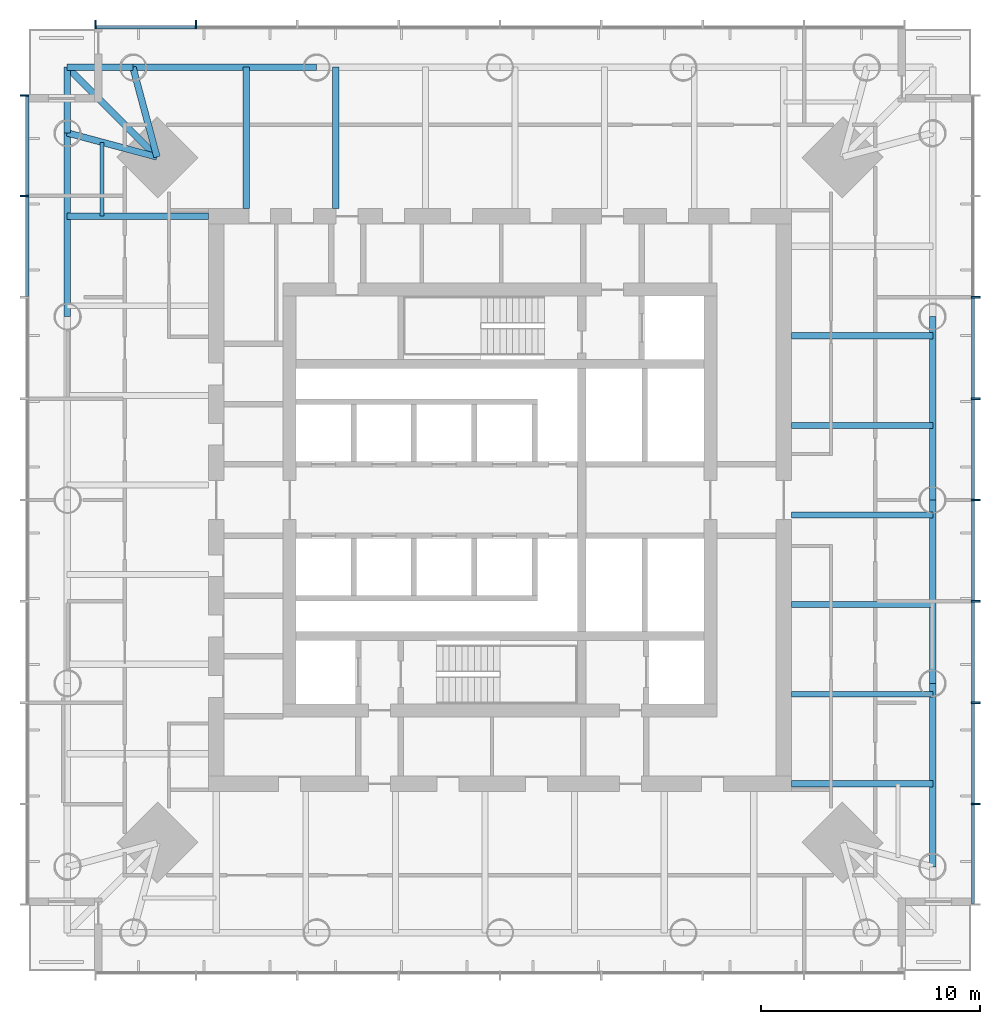
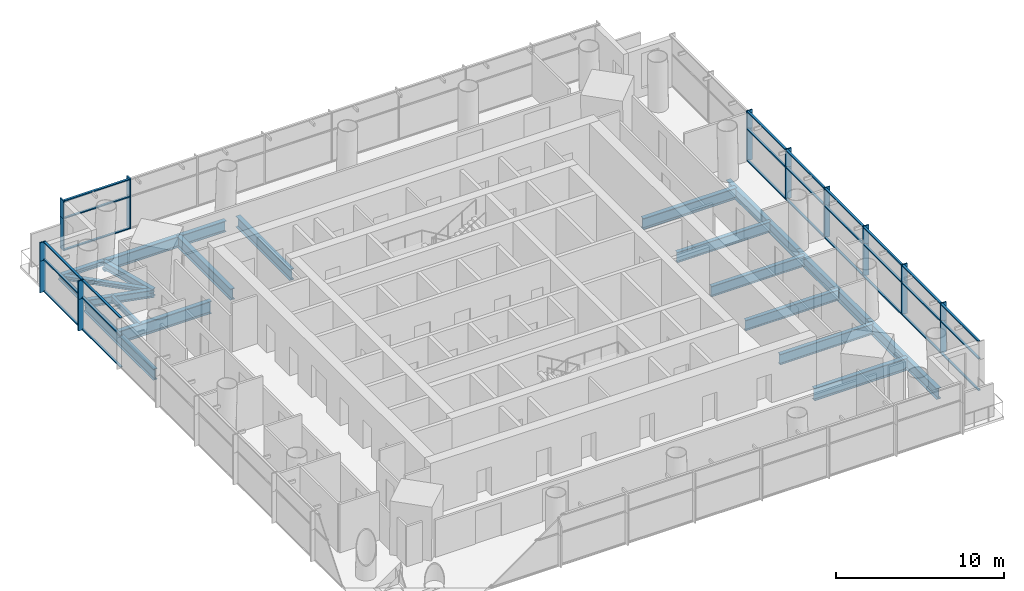
# One storey, part 3 of 11: 47 members, 20 beams, 6 elements without a shape of their own.
"""IFC4 building model written with IfcOpenShell, lengths in metres."""

import ifcopenshell
import ifcopenshell.guid

model = None  # the IFC model being written
_history = None  # IfcOwnerHistory: only IFC2X3 demands one
_inside = {}  # id of a spatial element -> (the spatial element, [elements in it])
_under = {}  # id of a project, library or spatial element -> (it, [spatial elements below it])
_declared = {}  # id of a project -> (the project, [libraries it declares])
_typed = {}  # id of a type object -> (the type object, [elements of that type])
_made_of = {}  # id of a material, layer set ... -> (it, [elements and type objects made of it])


def new_model(schema):
    """Start an empty IFC model of exactly this schema.

    Asked for "IFC4X3", IfcOpenShell would pick the latest addendum, in which some entities
    have other attributes; the version numbers below select the first issue.
    IFC2X3 requires an IfcOwnerHistory on every rooted entity: one is made here for all.
    """
    global model, _history
    if schema == "IFC4X3":
        model = ifcopenshell.file(schema_version=(4, 3, 0, 0))
    else:
        model = ifcopenshell.file(schema=schema)
    _inside.clear()
    _under.clear()
    _declared.clear()
    _typed.clear()
    _made_of.clear()
    _history = None
    if model.schema == "IFC2X3":
        org = make("IfcOrganization", Name="unknown")
        user = make(
            "IfcPersonAndOrganization",
            ThePerson=make("IfcPerson", FamilyName="unknown"),
            TheOrganization=org,
        )
        app = make(
            "IfcApplication",
            ApplicationDeveloper=org,
            Version="unknown",
            ApplicationFullName="unknown",
            ApplicationIdentifier="unknown",
        )
        _history = make(
            "IfcOwnerHistory",
            OwningUser=user,
            OwningApplication=app,
            ChangeAction="ADDED",
            CreationDate=0,
        )
    return model


def make(cls, **values):
    """One entity of the class cls with the attributes given. An attribute that is None is left unset."""
    return model.create_entity(
        cls, **{name: value for name, value in values.items() if value is not None}
    )


def rooted(cls, **values):
    """An entity with a GlobalId (a new one), such as an element, a storey or a relation."""
    return make(cls, GlobalId=ifcopenshell.guid.new(), OwnerHistory=_history, **values)


def si_unit(unit_type, name, prefix=None):
    """IfcSIUnit, for example si_unit("LENGTHUNIT", "METRE", prefix="MILLI")."""
    return make("IfcSIUnit", UnitType=unit_type, Prefix=prefix, Name=name)


def assignment(units):
    """IfcUnitAssignment: the units of a project."""
    return None if units is None else make("IfcUnitAssignment", Units=units)


def point(xyz):
    """IfcCartesianPoint."""
    return None if xyz is None else make("IfcCartesianPoint", Coordinates=xyz)


def direction(xyz):
    """IfcDirection."""
    return None if xyz is None else make("IfcDirection", DirectionRatios=xyz)


def frame(location, z_axis=None, x_axis=None):
    """IfcAxis2Placement3D, a coordinate frame: its origin and axes. An axis left out is left unset."""
    return make(
        "IfcAxis2Placement3D",
        Location=point(location),
        Axis=direction(z_axis),
        RefDirection=direction(x_axis),
    )


def frame_2d(location, x_axis=None):
    """IfcAxis2Placement2D, a coordinate frame in the plane: its origin and x axis."""
    return make(
        "IfcAxis2Placement2D", Location=point(location), RefDirection=direction(x_axis)
    )


def origin():
    """The frame at (0, 0, 0) with its axes left unset."""
    return frame((0.0, 0.0, 0.0))


def origin_2d():
    """The frame at (0, 0) in the plane with its x axis left unset."""
    return frame_2d((0.0, 0.0))


def place(relative_to, where):
    """IfcLocalPlacement: puts the frame where relative to a parent placement (None: the world)."""
    return make(
        "IfcLocalPlacement", PlacementRelTo=relative_to, RelativePlacement=where
    )


def context(
    kind, dimensions, precision=None, world=None, true_north=None, identifier=None
):
    """IfcGeometricRepresentationContext, for example the 3D "Model" context."""
    return make(
        "IfcGeometricRepresentationContext",
        ContextIdentifier=identifier,
        ContextType=kind,
        CoordinateSpaceDimension=dimensions,
        Precision=precision,
        WorldCoordinateSystem=world,
        TrueNorth=true_north,
    )


def subcontext(parent, identifier, kind, view, scale=None):
    """IfcGeometricRepresentationSubContext, for example "Body" below "Model"."""
    return make(
        "IfcGeometricRepresentationSubContext",
        ContextIdentifier=identifier,
        ContextType=kind,
        ParentContext=parent,
        TargetScale=scale,
        TargetView=view,
    )


def project(units=None, contexts=None):
    """IfcProject with its units and contexts."""
    return rooted(
        "IfcProject",
        Name="project",
        RepresentationContexts=contexts,
        UnitsInContext=assignment(units),
    )


def spatial(cls, under=None, at=None, **own):
    """A site, building, storey or space (cls), placed at a placement, below another one or the project."""
    s = rooted(cls, ObjectPlacement=at, **own)
    if under is not None:
        _under.setdefault(under.id(), (under, []))[1].append(s)
    return s


def profile(cls, at=None, kind="AREA", **sizes):
    """A parametric profile (cls). Its sizes go by their IFC names, for example OverallWidth=200.0."""
    return make(cls, ProfileType=kind, Position=at, **sizes)


def rectangle(**sizes):
    """IfcRectangleProfileDef."""
    return profile("IfcRectangleProfileDef", **sizes)


def i_section(**sizes):
    """IfcIShapeProfileDef."""
    return profile("IfcIShapeProfileDef", **sizes)


def extrude(swept, where, along, depth):
    """IfcExtrudedAreaSolid: the profile swept, set in the frame where, extruded along a direction by depth."""
    return make(
        "IfcExtrudedAreaSolid",
        SweptArea=swept,
        Position=where,
        ExtrudedDirection=direction(along),
        Depth=depth,
    )


def shape(context_of_items, identifier, shape_type, items):
    """IfcShapeRepresentation: the items that make up one representation, for example the "Body"."""
    return make(
        "IfcShapeRepresentation",
        ContextOfItems=context_of_items,
        RepresentationIdentifier=identifier,
        RepresentationType=shape_type,
        Items=items,
    )


def material(Name=None, Category=None):
    """IfcMaterial."""
    return make("IfcMaterial", Name=Name, Category=Category)


def material_profile(
    of_material, cross_section, Name=None, Category=None, Priority=None
):
    """IfcMaterialProfile: a cross section and its material."""
    return make(
        "IfcMaterialProfile",
        Name=Name,
        Material=of_material,
        Profile=cross_section,
        Priority=Priority,
        Category=Category,
    )


def profile_set(profiles, Name=None, composite=None):
    """IfcMaterialProfileSet."""
    return make(
        "IfcMaterialProfileSet",
        Name=Name,
        MaterialProfiles=profiles,
        CompositeProfile=composite,
    )


def made_of(thing, what):
    """Note that an element or type object is made of a material, layer set ...; save() writes the relation."""
    if what is not None:
        _made_of.setdefault(what.id(), (what, []))[1].append(thing)
    return thing


def type_object(cls, material=None, **own):
    """A type object (cls), such as IfcWallType, which elements share."""
    return made_of(rooted(cls, **own), material)


def element(
    cls,
    number,
    at=None,
    inside=None,
    cuts=None,
    type_object=None,
    material=None,
    context=None,
    identifier="Body",
    shape_type=None,
    held_by="IfcProductDefinitionShape",
    body=None,
    shapes=None,
    **own,
):
    """One element of the class cls, such as IfcWall. Its Tag is "e" and its number.

    at: its placement. inside: the storey or other place that contains it. cuts: it is an
    opening in that element (IfcRelVoidsElement). A single representation is given by context,
    identifier, shape_type and body (its items); several are given by shapes. held_by: the class
    of the entity that holds the representations. save() writes the other relations.
    """
    e = rooted(cls, Tag="e%d" % number, ObjectPlacement=at, **own)
    if body is not None:
        shapes = [shape(context, identifier, shape_type, body)]
    if shapes is not None:
        e.Representation = make(held_by, Representations=shapes)
    if inside is not None:
        _inside.setdefault(inside.id(), (inside, []))[1].append(e)
    if cuts is not None:
        rooted(
            "IfcRelVoidsElement", RelatingBuildingElement=cuts, RelatedOpeningElement=e
        )
    if type_object is not None:
        _typed.setdefault(type_object.id(), (type_object, []))[1].append(e)
    return made_of(e, material)


def aggregate(whole, parts):
    """IfcRelAggregates: a whole, such as a stair, and the parts it consists of."""
    return rooted("IfcRelAggregates", RelatingObject=whole, RelatedObjects=parts)


def save(model, path):
    """Write the relations noted so far, then the file.

    IfcRelAggregates (storeys below a building ...), IfcRelContainedInSpatialStructure (elements
    in a storey), IfcRelDefinesByType, IfcRelAssociatesMaterial and IfcRelDeclares: one each for
    every whole, place, type object, material and project.
    """
    for whole, parts in _under.values():
        aggregate(whole, parts)
    for where, things in _inside.values():
        rooted(
            "IfcRelContainedInSpatialStructure",
            RelatedElements=things,
            RelatingStructure=where,
        )
    for kind, things in _typed.values():
        rooted("IfcRelDefinesByType", RelatedObjects=things, RelatingType=kind)
    for what, things in _made_of.values():
        rooted("IfcRelAssociatesMaterial", RelatedObjects=things, RelatingMaterial=what)
    for by, libraries in _declared.values():
        rooted("IfcRelDeclares", RelatingContext=by, RelatedDefinitions=libraries)
    model.write(path)


model = new_model("IFC4")

# Units and contexts
model_context = context("Model", 3, precision=1e-05, world=origin(), true_north=direction((0.0, 1.0)))
body_context = subcontext(model_context, "Body", "Model", "MODEL_VIEW")
ifc_project = project(units=[si_unit("LENGTHUNIT", "METRE"), si_unit("AREAUNIT", "SQUARE_METRE"), si_unit("VOLUMEUNIT", "CUBIC_METRE"), si_unit("PLANEANGLEUNIT", "RADIAN"), si_unit("MASSUNIT", "GRAM", prefix="KILO")], contexts=[model_context])

# Site, building, storey
site_placement = place(None, origin())
site = spatial("IfcSite", under=ifc_project, at=site_placement, CompositionType="ELEMENT")
building_placement = place(site_placement, origin())
building = spatial("IfcBuilding", under=site, at=building_placement, Name="Ostroluk Exchange", CompositionType="ELEMENT")
storey_placement = place(building_placement, frame((0.0, 0.0, 154.0)))
storey = spatial("IfcBuildingStorey", under=building, at=storey_placement, Name="L39", CompositionType="ELEMENT", Elevation=154.0)

# Beams
ifc_material_1 = material(Name="Steel S355", Category="steel")
ifc_material_profile_1 = material_profile(ifc_material_1, i_section(OverallWidth=0.300048828125, OverallDepth=0.300048828125, WebThickness=0.010986328125, FlangeThickness=0.01904296875, FilletRadius=0.027099609375, at=origin_2d()), Name="HEB 300")
ifc_profile_set_1 = profile_set([ifc_material_profile_1], Name="Steel S355")
beam_type_1 = type_object("IfcBeamType", Name="Balcony beam HEB 300", PredefinedType="BEAM", material=ifc_profile_set_1)
for number, where, z_axis, x_axis, name in (
    (1, (28.25, 65.75, -0.330078125), (-1.0, 0.0, 0.0), (0.0, -1.0, 0.0), "T1 north balcony beam a"),
    (2, (25.25, 62.75, -0.330078125), (0.0, 1.0, 0.0), (-1.0, 0.0, 0.0), "T1 north balcony beam b"),
):
    element("IfcBeam", number, at=place(storey_placement, frame(where, z_axis=z_axis, x_axis=x_axis)), inside=storey, type_object=beam_type_1, Name=name, PredefinedType="BEAM", context=body_context, shape_type="SweptSolid", body=[
        extrude(i_section(OverallWidth=0.300048828125, OverallDepth=0.300048828125, WebThickness=0.010986328125, FlangeThickness=0.01904296875, FilletRadius=0.027099609375, at=origin_2d()), origin(), (0.0, 0.0, 1.0), 3.0),
    ])
beam_1_placement = place(storey_placement, frame((29.35009765625, 61.64990234375, -0.330078125), z_axis=(-0.707106781187, 0.707106781187, 0.0), x_axis=(-0.707106781187, -0.707106781187, 0.0)))
element("IfcBeam", 3, at=beam_1_placement, inside=storey, type_object=beam_type_1, Name="T1 north balcony beam c", PredefinedType="BEAM", context=body_context, shape_type="SweptSolid", body=[
    extrude(i_section(OverallWidth=0.300048828125, OverallDepth=0.300048828125, WebThickness=0.010986328125, FlangeThickness=0.01904296875, FilletRadius=0.027099609375, at=origin_2d()), origin(), (0.0, 0.0, 1.0), 5.79833984375),
])
ifc_material_2 = material(Name="Steel S355", Category="steel")
ifc_material_profile_2 = material_profile(ifc_material_2, i_section(OverallWidth=0.300048828125, OverallDepth=0.550048828125, WebThickness=0.014892578125, FlangeThickness=0.029052734375, FilletRadius=0.027099609375, at=origin_2d()), Name="HEB 550")
ifc_profile_set_2 = profile_set([ifc_material_profile_2], Name="Steel S355")
beam_type_2 = type_object("IfcBeamType", Name="Corner edge beam HEB 550", PredefinedType="SPANDREL", material=ifc_profile_set_2)
for number, where, z_axis, x_axis, name in (
    (4, (29.35009765625, 61.64990234375, -0.455078125), (-0.259144268261, 0.965838624319, 0.0), (-0.965838624319, -0.259144268261, 0.0), "T1 north corner edge beam a"),
    (5, (29.35009765625, 61.64990234375, -0.455078125), (-0.965838624319, 0.259144268261, 0.0), (-0.259144268261, -0.965838624319, 0.0), "T1 north corner edge beam b"),
):
    element("IfcBeam", number, at=place(storey_placement, frame(where, z_axis=z_axis, x_axis=x_axis)), inside=storey, type_object=beam_type_2, Name=name, PredefinedType="SPANDREL", context=body_context, shape_type="SweptSolid", body=[
        extrude(i_section(OverallWidth=0.300048828125, OverallDepth=0.550048828125, WebThickness=0.014892578125, FlangeThickness=0.029052734375, FilletRadius=0.027099609375, at=origin_2d()), origin(), (0.0, 0.0, 1.0), 4.2451171875),
    ])
ifc_material_3 = material(Name="Steel S355", Category="steel")
ifc_material_profile_3 = material_profile(ifc_material_3, i_section(OverallWidth=0.302978515625, OverallDepth=0.81396484375, WebThickness=0.02099609375, FlangeThickness=0.0400390625, FilletRadius=0.030029296875, at=origin_2d()), Name="HEM 800")
ifc_profile_set_3 = profile_set([ifc_material_profile_3], Name="Steel S355")
beam_type_3 = type_object("IfcBeamType", Name="Floor beam HEM 800", PredefinedType="BEAM", material=ifc_profile_set_3)
for number, where, z_axis, x_axis, name in (
    (6, (58.300048828125, 53.487548828125, -0.5869140625), (1.0, 0.0, 0.0), (0.0, 1.0, 0.0), "T1 east floor beam 5"),
    (7, (37.512451171875, 59.300048828125, -0.5869140625), (0.0, 1.0, 0.0), (-1.0, 0.0, 0.0), "T1 north floor beam 5"),
    (8, (33.425048828125, 59.300048828125, -0.5869140625), (0.0, 1.0, 0.0), (-1.0, 0.0, 0.0), "T1 north floor beam 6"),
):
    element("IfcBeam", number, at=place(storey_placement, frame(where, z_axis=z_axis, x_axis=x_axis)), inside=storey, type_object=beam_type_3, Name=name, PredefinedType="BEAM", context=body_context, shape_type="SweptSolid", body=[
        extrude(i_section(OverallWidth=0.302978515625, OverallDepth=0.81396484375, WebThickness=0.02099609375, FlangeThickness=0.0400390625, FilletRadius=0.030029296875, at=origin_2d()), origin(), (0.0, 0.0, 1.0), 6.449951171875),
    ])
ifc_material_4 = material(Name="Steel S355", Category="steel")
ifc_material_profile_4 = material_profile(ifc_material_4, i_section(OverallWidth=0.179931640625, OverallDepth=0.39990234375, WebThickness=0.008544921875, FlangeThickness=0.013427734375, FilletRadius=0.02099609375, at=origin_2d()), Name="IPE 400")
ifc_profile_set_4 = profile_set([ifc_material_profile_4], Name="Steel S355")
beam_type_4 = type_object("IfcBeamType", Name="Floor beam IPE 400", PredefinedType="BEAM", material=ifc_profile_set_4)
beam_2_placement = place(storey_placement, frame((26.85009765625, 58.949951171875, -0.3798828125), z_axis=(0.0, 1.0, 0.0), x_axis=(-1.0, 0.0, 0.0)))
element("IfcBeam", 9, at=beam_2_placement, inside=storey, type_object=beam_type_4, Name="T1 north floor beam 7", PredefinedType="BEAM", context=body_context, shape_type="SweptSolid", body=[
    extrude(i_section(OverallWidth=0.179931640625, OverallDepth=0.39990234375, WebThickness=0.008544921875, FlangeThickness=0.013427734375, FilletRadius=0.02099609375, at=origin_2d()), origin(), (0.0, 0.0, 1.0), 3.370849609375),
])
ifc_material_5 = material(Name="Steel S355", Category="steel")
ifc_material_profile_5 = material_profile(ifc_material_5, i_section(OverallWidth=0.26708984375, OverallDepth=0.761962890625, WebThickness=0.014404296875, FlangeThickness=0.021484375, FilletRadius=0.01708984375, at=origin_2d()), Name="IPE 750x173")
ifc_profile_set_5 = profile_set([ifc_material_profile_5], Name="Steel S355")
beam_type_5 = type_object("IfcBeamType", Name="Floor beam IPE 750x173", PredefinedType="BEAM", material=ifc_profile_set_5)
for number, where, z_axis, x_axis, name in (
    (10, (58.300048828125, 37.137451171875, -0.56103515625), (1.0, 0.0, 0.0), (0.0, 1.0, 0.0), "T1 east floor beam 1"),
    (11, (58.300048828125, 41.22509765625, -0.56103515625), (1.0, 0.0, 0.0), (0.0, 1.0, 0.0), "T1 east floor beam 2"),
    (12, (58.300048828125, 45.3125, -0.56103515625), (1.0, 0.0, 0.0), (0.0, 1.0, 0.0), "T1 east floor beam 3"),
    (13, (58.300048828125, 49.39990234375, -0.56103515625), (1.0, 0.0, 0.0), (0.0, 1.0, 0.0), "T1 east floor beam 4"),
):
    element("IfcBeam", number, at=place(storey_placement, frame(where, z_axis=z_axis, x_axis=x_axis)), inside=storey, type_object=beam_type_5, Name=name, PredefinedType="BEAM", context=body_context, shape_type="SweptSolid", body=[
        extrude(i_section(OverallWidth=0.26708984375, OverallDepth=0.761962890625, WebThickness=0.014404296875, FlangeThickness=0.021484375, FilletRadius=0.01708984375, at=origin_2d()), origin(), (0.0, 0.0, 1.0), 6.449951171875),
    ])
ifc_material_6 = material(Name="Steel S355", Category="steel")
ifc_material_profile_6 = material_profile(ifc_material_6, i_section(OverallWidth=0.300048828125, OverallDepth=0.89990234375, WebThickness=0.0185546875, FlangeThickness=0.034912109375, FilletRadius=0.030029296875, at=origin_2d()), Name="HEB 900")
ifc_profile_set_6 = profile_set([ifc_material_profile_6], Name="Steel S355")
beam_type_6 = type_object("IfcBeamType", Name="Girder HEB 900", PredefinedType="BEAM", material=ifc_profile_set_6)
for number, where, z_axis, x_axis, name in (
    (14, (31.699951171875, 58.949951171875, -0.6298828125), (-1.0, 0.0, 0.0), (0.0, -1.0, 0.0), "T1 north girder"),
    (15, (58.300048828125, 33.050048828125, -0.6298828125), (1.0, 0.0, 0.0), (0.0, 1.0, 0.0), "T1 south girder"),
):
    element("IfcBeam", number, at=place(storey_placement, frame(where, z_axis=z_axis, x_axis=x_axis)), inside=storey, type_object=beam_type_6, Name=name, PredefinedType="BEAM", context=body_context, shape_type="SweptSolid", body=[
        extrude(i_section(OverallWidth=0.300048828125, OverallDepth=0.89990234375, WebThickness=0.0185546875, FlangeThickness=0.034912109375, FilletRadius=0.030029296875, at=origin_2d()), origin(), (0.0, 0.0, 1.0), 6.449951171875),
    ])
ifc_material_7 = material(Name="Steel S355", Category="steel")
ifc_material_profile_7 = material_profile(ifc_material_7, i_section(OverallWidth=0.300048828125, OverallDepth=0.800048828125, WebThickness=0.017578125, FlangeThickness=0.032958984375, FilletRadius=0.030029296875, at=origin_2d()), Name="HEB 800")
ifc_profile_set_7 = profile_set([ifc_material_profile_7], Name="Steel S355")
beam_type_7 = type_object("IfcBeamType", Name="Moment-connected edge beam HEB 800", PredefinedType="SPANDREL", material=ifc_profile_set_7)
for number, where, z_axis, x_axis, name in (
    (16, (64.75, 29.25, -0.580078125), (0.0, 1.0, 0.0), (-1.0, 0.0, 0.0), "T1 east edge beam 1"),
    (17, (64.75, 37.625, -0.580078125), (0.0, 1.0, 0.0), (-1.0, 0.0, 0.0), "T1 east edge beam 2"),
    (18, (64.75, 46.0, -0.580078125), (0.0, 1.0, 0.0), (-1.0, 0.0, 0.0), "T1 east edge beam 3"),
    (19, (36.625, 65.75, -0.580078125), (-1.0, 0.0, 0.0), (0.0, -1.0, 0.0), "T1 north edge beam 4"),
    (20, (25.25, 62.75, -0.580078125), (0.0, -1.0, 0.0), (1.0, 0.0, 0.0), "T1 west edge beam 1"),
):
    element("IfcBeam", number, at=place(storey_placement, frame(where, z_axis=z_axis, x_axis=x_axis)), inside=storey, type_object=beam_type_7, Name=name, PredefinedType="SPANDREL", context=body_context, shape_type="SweptSolid", body=[
        extrude(i_section(OverallWidth=0.300048828125, OverallDepth=0.800048828125, WebThickness=0.017578125, FlangeThickness=0.032958984375, FilletRadius=0.030029296875, at=origin_2d()), origin(), (0.0, 0.0, 1.0), 8.375),
    ])

# Curtain wall, members
ifc_material_8 = material(Name="Laminated clear glass", Category="glass")
curtain_wall_type = type_object("IfcCurtainWallType", Name="Office tower facade", PredefinedType="USERDEFINED", material=ifc_material_8)
curtain_wall_1_placement = place(storey_placement, origin())
curtain_wall_1 = element("IfcCurtainWall", 21, at=curtain_wall_1_placement, inside=storey, type_object=curtain_wall_type, Name="Office tower east facade L39", ObjectType="UNITISED CURTAIN WALL", PredefinedType="USERDEFINED")
ifc_material_9 = material(Name="Aluminium mullion", Category="aluminium")
ifc_material_profile_8 = material_profile(ifc_material_9, rectangle(XDim=0.14990234375, YDim=0.080078125, at=origin_2d()), Name="Sill transom 80 x 150")
ifc_profile_set_8 = profile_set([ifc_material_profile_8], Name="Aluminium mullion")
member_type_1 = type_object("IfcMemberType", Name="Sill transom 80 x 150", PredefinedType="USERDEFINED", material=ifc_profile_set_8)
member_1_placement = place(storey_placement, frame((66.574951171875, 27.580078125, 0.0400390625), z_axis=(0.0, 1.0, 0.0), x_axis=(-1.0, 0.0, 0.0)))
member_1 = element("IfcMember", 22, at=member_1_placement, type_object=member_type_1, Name="CW-O1 transom 1.1", ObjectType="TRANSOM", PredefinedType="USERDEFINED", context=body_context, shape_type="SweptSolid", body=[
    extrude(rectangle(XDim=0.14990234375, YDim=0.080078125, at=origin_2d()), origin(), (0.0, 0.0, 1.0), 4.5048828125),
])
member_2_placement = place(storey_placement, frame((66.574951171875, 32.1650390625, 0.0400390625), z_axis=(0.0, 1.0, 0.0), x_axis=(-1.0, 0.0, 0.0)))
member_2 = element("IfcMember", 23, at=member_2_placement, type_object=member_type_1, Name="CW-O1 transom 2.1", ObjectType="TRANSOM", PredefinedType="USERDEFINED", context=body_context, shape_type="SweptSolid", body=[
    extrude(rectangle(XDim=0.14990234375, YDim=0.080078125, at=origin_2d()), origin(), (0.0, 0.0, 1.0), 4.544921875),
])
member_3_placement = place(storey_placement, frame((66.574951171875, 36.7900390625, 0.0400390625), z_axis=(0.0, 1.0, 0.0), x_axis=(-1.0, 0.0, 0.0)))
member_3 = element("IfcMember", 24, at=member_3_placement, type_object=member_type_1, Name="CW-O1 transom 3.1", ObjectType="TRANSOM", PredefinedType="USERDEFINED", context=body_context, shape_type="SweptSolid", body=[
    extrude(rectangle(XDim=0.14990234375, YDim=0.080078125, at=origin_2d()), origin(), (0.0, 0.0, 1.0), 4.544921875),
])
member_4_placement = place(storey_placement, frame((66.574951171875, 41.4150390625, 0.0400390625), z_axis=(0.0, 1.0, 0.0), x_axis=(-1.0, 0.0, 0.0)))
member_4 = element("IfcMember", 25, at=member_4_placement, type_object=member_type_1, Name="CW-O1 transom 4.1", ObjectType="TRANSOM", PredefinedType="USERDEFINED", context=body_context, shape_type="SweptSolid", body=[
    extrude(rectangle(XDim=0.14990234375, YDim=0.080078125, at=origin_2d()), origin(), (0.0, 0.0, 1.0), 4.544921875),
])
member_5_placement = place(storey_placement, frame((66.574951171875, 46.0400390625, 0.0400390625), z_axis=(0.0, 1.0, 0.0), x_axis=(-1.0, 0.0, 0.0)))
member_5 = element("IfcMember", 26, at=member_5_placement, type_object=member_type_1, Name="CW-O1 transom 5.1", ObjectType="TRANSOM", PredefinedType="USERDEFINED", context=body_context, shape_type="SweptSolid", body=[
    extrude(rectangle(XDim=0.14990234375, YDim=0.080078125, at=origin_2d()), origin(), (0.0, 0.0, 1.0), 4.544921875),
])
member_6_placement = place(storey_placement, frame((66.574951171875, 50.6650390625, 0.0400390625), z_axis=(0.0, 1.0, 0.0), x_axis=(-1.0, 0.0, 0.0)))
member_6 = element("IfcMember", 27, at=member_6_placement, type_object=member_type_1, Name="CW-O1 transom 6.1", ObjectType="TRANSOM", PredefinedType="USERDEFINED", context=body_context, shape_type="SweptSolid", body=[
    extrude(rectangle(XDim=0.14990234375, YDim=0.080078125, at=origin_2d()), origin(), (0.0, 0.0, 1.0), 4.544921875),
])

curtain_wall_2_placement = place(storey_placement, origin())
curtain_wall_2 = element("IfcCurtainWall", 28, at=curtain_wall_2_placement, inside=storey, type_object=curtain_wall_type, Name="Office tower east spandrel L39", ObjectType="UNITISED CURTAIN WALL", PredefinedType="USERDEFINED")
member_7_placement = place(storey_placement, frame((66.574951171875, 27.580078125, 2.353515625), z_axis=(0.0, 1.0, 0.0), x_axis=(-1.0, 0.0, 0.0)))
member_7 = element("IfcMember", 29, at=member_7_placement, type_object=member_type_1, Name="CW-O1 transom 1.1", ObjectType="TRANSOM", PredefinedType="USERDEFINED", context=body_context, shape_type="SweptSolid", body=[
    extrude(rectangle(XDim=0.14990234375, YDim=0.080078125, at=origin_2d()), origin(), (0.0, 0.0, 1.0), 4.5048828125),
])
member_8_placement = place(storey_placement, frame((66.574951171875, 27.580078125, 3.610107421875), z_axis=(0.0, 1.0, 0.0), x_axis=(-1.0, 0.0, 0.0)))
member_8 = element("IfcMember", 30, at=member_8_placement, type_object=member_type_1, Name="CW-O1 transom 1.2", ObjectType="TRANSOM", PredefinedType="USERDEFINED", context=body_context, shape_type="SweptSolid", body=[
    extrude(rectangle(XDim=0.14990234375, YDim=0.080078125, at=origin_2d()), origin(), (0.0, 0.0, 1.0), 4.5048828125),
])
member_9_placement = place(storey_placement, frame((66.574951171875, 32.1650390625, 2.353515625), z_axis=(0.0, 1.0, 0.0), x_axis=(-1.0, 0.0, 0.0)))
member_9 = element("IfcMember", 31, at=member_9_placement, type_object=member_type_1, Name="CW-O1 transom 2.1", ObjectType="TRANSOM", PredefinedType="USERDEFINED", context=body_context, shape_type="SweptSolid", body=[
    extrude(rectangle(XDim=0.14990234375, YDim=0.080078125, at=origin_2d()), origin(), (0.0, 0.0, 1.0), 4.544921875),
])
member_10_placement = place(storey_placement, frame((66.574951171875, 32.1650390625, 3.610107421875), z_axis=(0.0, 1.0, 0.0), x_axis=(-1.0, 0.0, 0.0)))
member_10 = element("IfcMember", 32, at=member_10_placement, type_object=member_type_1, Name="CW-O1 transom 2.2", ObjectType="TRANSOM", PredefinedType="USERDEFINED", context=body_context, shape_type="SweptSolid", body=[
    extrude(rectangle(XDim=0.14990234375, YDim=0.080078125, at=origin_2d()), origin(), (0.0, 0.0, 1.0), 4.544921875),
])
member_11_placement = place(storey_placement, frame((66.574951171875, 36.7900390625, 2.353515625), z_axis=(0.0, 1.0, 0.0), x_axis=(-1.0, 0.0, 0.0)))
member_11 = element("IfcMember", 33, at=member_11_placement, type_object=member_type_1, Name="CW-O1 transom 3.1", ObjectType="TRANSOM", PredefinedType="USERDEFINED", context=body_context, shape_type="SweptSolid", body=[
    extrude(rectangle(XDim=0.14990234375, YDim=0.080078125, at=origin_2d()), origin(), (0.0, 0.0, 1.0), 4.544921875),
])
member_12_placement = place(storey_placement, frame((66.574951171875, 36.7900390625, 3.610107421875), z_axis=(0.0, 1.0, 0.0), x_axis=(-1.0, 0.0, 0.0)))
member_12 = element("IfcMember", 34, at=member_12_placement, type_object=member_type_1, Name="CW-O1 transom 3.2", ObjectType="TRANSOM", PredefinedType="USERDEFINED", context=body_context, shape_type="SweptSolid", body=[
    extrude(rectangle(XDim=0.14990234375, YDim=0.080078125, at=origin_2d()), origin(), (0.0, 0.0, 1.0), 4.544921875),
])
member_13_placement = place(storey_placement, frame((66.574951171875, 41.4150390625, 2.353515625), z_axis=(0.0, 1.0, 0.0), x_axis=(-1.0, 0.0, 0.0)))
member_13 = element("IfcMember", 35, at=member_13_placement, type_object=member_type_1, Name="CW-O1 transom 4.1", ObjectType="TRANSOM", PredefinedType="USERDEFINED", context=body_context, shape_type="SweptSolid", body=[
    extrude(rectangle(XDim=0.14990234375, YDim=0.080078125, at=origin_2d()), origin(), (0.0, 0.0, 1.0), 4.544921875),
])
member_14_placement = place(storey_placement, frame((66.574951171875, 41.4150390625, 3.610107421875), z_axis=(0.0, 1.0, 0.0), x_axis=(-1.0, 0.0, 0.0)))
member_14 = element("IfcMember", 36, at=member_14_placement, type_object=member_type_1, Name="CW-O1 transom 4.2", ObjectType="TRANSOM", PredefinedType="USERDEFINED", context=body_context, shape_type="SweptSolid", body=[
    extrude(rectangle(XDim=0.14990234375, YDim=0.080078125, at=origin_2d()), origin(), (0.0, 0.0, 1.0), 4.544921875),
])
member_15_placement = place(storey_placement, frame((66.574951171875, 46.0400390625, 2.353515625), z_axis=(0.0, 1.0, 0.0), x_axis=(-1.0, 0.0, 0.0)))
member_15 = element("IfcMember", 37, at=member_15_placement, type_object=member_type_1, Name="CW-O1 transom 5.1", ObjectType="TRANSOM", PredefinedType="USERDEFINED", context=body_context, shape_type="SweptSolid", body=[
    extrude(rectangle(XDim=0.14990234375, YDim=0.080078125, at=origin_2d()), origin(), (0.0, 0.0, 1.0), 4.544921875),
])
member_16_placement = place(storey_placement, frame((66.574951171875, 46.0400390625, 3.610107421875), z_axis=(0.0, 1.0, 0.0), x_axis=(-1.0, 0.0, 0.0)))
member_16 = element("IfcMember", 38, at=member_16_placement, type_object=member_type_1, Name="CW-O1 transom 5.2", ObjectType="TRANSOM", PredefinedType="USERDEFINED", context=body_context, shape_type="SweptSolid", body=[
    extrude(rectangle(XDim=0.14990234375, YDim=0.080078125, at=origin_2d()), origin(), (0.0, 0.0, 1.0), 4.544921875),
])
member_17_placement = place(storey_placement, frame((66.574951171875, 50.6650390625, 2.353515625), z_axis=(0.0, 1.0, 0.0), x_axis=(-1.0, 0.0, 0.0)))
member_17 = element("IfcMember", 39, at=member_17_placement, type_object=member_type_1, Name="CW-O1 transom 6.1", ObjectType="TRANSOM", PredefinedType="USERDEFINED", context=body_context, shape_type="SweptSolid", body=[
    extrude(rectangle(XDim=0.14990234375, YDim=0.080078125, at=origin_2d()), origin(), (0.0, 0.0, 1.0), 4.544921875),
])
member_18_placement = place(storey_placement, frame((66.574951171875, 50.6650390625, 3.610107421875), z_axis=(0.0, 1.0, 0.0), x_axis=(-1.0, 0.0, 0.0)))
member_18 = element("IfcMember", 40, at=member_18_placement, type_object=member_type_1, Name="CW-O1 transom 6.2", ObjectType="TRANSOM", PredefinedType="USERDEFINED", context=body_context, shape_type="SweptSolid", body=[
    extrude(rectangle(XDim=0.14990234375, YDim=0.080078125, at=origin_2d()), origin(), (0.0, 0.0, 1.0), 4.544921875),
])

# Curtain wall, member
curtain_wall_3_placement = place(storey_placement, origin())
curtain_wall_3 = element("IfcCurtainWall", 41, at=curtain_wall_3_placement, inside=storey, type_object=curtain_wall_type, Name="Office tower north facade L39", ObjectType="UNITISED CURTAIN WALL", PredefinedType="USERDEFINED")
member_19_placement = place(storey_placement, frame((31.0849609375, 67.574951171875, 0.0400390625), z_axis=(-1.0, 0.0, 0.0), x_axis=(0.0, -1.0, 0.0)))
member_19 = element("IfcMember", 42, at=member_19_placement, type_object=member_type_1, Name="CW-O1 transom 8.1", ObjectType="TRANSOM", PredefinedType="USERDEFINED", context=body_context, shape_type="SweptSolid", body=[
    extrude(rectangle(XDim=0.14990234375, YDim=0.080078125, at=origin_2d()), origin(), (0.0, 0.0, 1.0), 4.5048828125),
])

# Curtain wall, members
curtain_wall_4_placement = place(storey_placement, origin())
curtain_wall_4 = element("IfcCurtainWall", 43, at=curtain_wall_4_placement, inside=storey, type_object=curtain_wall_type, Name="Office tower north spandrel L39", ObjectType="UNITISED CURTAIN WALL", PredefinedType="USERDEFINED")
member_20_placement = place(storey_placement, frame((31.0849609375, 67.574951171875, 2.353515625), z_axis=(-1.0, 0.0, 0.0), x_axis=(0.0, -1.0, 0.0)))
member_20 = element("IfcMember", 44, at=member_20_placement, type_object=member_type_1, Name="CW-O1 transom 8.1", ObjectType="TRANSOM", PredefinedType="USERDEFINED", context=body_context, shape_type="SweptSolid", body=[
    extrude(rectangle(XDim=0.14990234375, YDim=0.080078125, at=origin_2d()), origin(), (0.0, 0.0, 1.0), 4.5048828125),
])
member_21_placement = place(storey_placement, frame((31.0849609375, 67.574951171875, 3.610107421875), z_axis=(-1.0, 0.0, 0.0), x_axis=(0.0, -1.0, 0.0)))
member_21 = element("IfcMember", 45, at=member_21_placement, type_object=member_type_1, Name="CW-O1 transom 8.2", ObjectType="TRANSOM", PredefinedType="USERDEFINED", context=body_context, shape_type="SweptSolid", body=[
    extrude(rectangle(XDim=0.14990234375, YDim=0.080078125, at=origin_2d()), origin(), (0.0, 0.0, 1.0), 4.5048828125),
])

curtain_wall_5_placement = place(storey_placement, origin())
curtain_wall_5 = element("IfcCurtainWall", 46, at=curtain_wall_5_placement, inside=storey, type_object=curtain_wall_type, Name="Office tower west facade L39", ObjectType="UNITISED CURTAIN WALL", PredefinedType="USERDEFINED")
member_22_placement = place(storey_placement, frame((23.425048828125, 64.419921875, 0.0400390625), z_axis=(0.0, -1.0, 0.0), x_axis=(1.0, 0.0, 0.0)))
member_22 = element("IfcMember", 47, at=member_22_placement, type_object=member_type_1, Name="CW-O1 transom 1.1", ObjectType="TRANSOM", PredefinedType="USERDEFINED", context=body_context, shape_type="SweptSolid", body=[
    extrude(rectangle(XDim=0.14990234375, YDim=0.080078125, at=origin_2d()), origin(), (0.0, 0.0, 1.0), 4.5048828125),
])
member_23_placement = place(storey_placement, frame((23.425048828125, 59.8349609375, 0.0400390625), z_axis=(0.0, -1.0, 0.0), x_axis=(1.0, 0.0, 0.0)))
member_23 = element("IfcMember", 48, at=member_23_placement, type_object=member_type_1, Name="CW-O1 transom 2.1", ObjectType="TRANSOM", PredefinedType="USERDEFINED", context=body_context, shape_type="SweptSolid", body=[
    extrude(rectangle(XDim=0.14990234375, YDim=0.080078125, at=origin_2d()), origin(), (0.0, 0.0, 1.0), 4.544921875),
])

curtain_wall_6_placement = place(storey_placement, origin())
curtain_wall_6 = element("IfcCurtainWall", 49, at=curtain_wall_6_placement, inside=storey, type_object=curtain_wall_type, Name="Office tower west spandrel L39", ObjectType="UNITISED CURTAIN WALL", PredefinedType="USERDEFINED")
member_24_placement = place(storey_placement, frame((23.425048828125, 64.419921875, 2.353515625), z_axis=(0.0, -1.0, 0.0), x_axis=(1.0, 0.0, 0.0)))
member_24 = element("IfcMember", 50, at=member_24_placement, type_object=member_type_1, Name="CW-O1 transom 1.1", ObjectType="TRANSOM", PredefinedType="USERDEFINED", context=body_context, shape_type="SweptSolid", body=[
    extrude(rectangle(XDim=0.14990234375, YDim=0.080078125, at=origin_2d()), origin(), (0.0, 0.0, 1.0), 4.5048828125),
])
member_25_placement = place(storey_placement, frame((23.425048828125, 64.419921875, 3.610107421875), z_axis=(0.0, -1.0, 0.0), x_axis=(1.0, 0.0, 0.0)))
member_25 = element("IfcMember", 51, at=member_25_placement, type_object=member_type_1, Name="CW-O1 transom 1.2", ObjectType="TRANSOM", PredefinedType="USERDEFINED", context=body_context, shape_type="SweptSolid", body=[
    extrude(rectangle(XDim=0.14990234375, YDim=0.080078125, at=origin_2d()), origin(), (0.0, 0.0, 1.0), 4.5048828125),
])
member_26_placement = place(storey_placement, frame((23.425048828125, 59.8349609375, 2.353515625), z_axis=(0.0, -1.0, 0.0), x_axis=(1.0, 0.0, 0.0)))
member_26 = element("IfcMember", 52, at=member_26_placement, type_object=member_type_1, Name="CW-O1 transom 2.1", ObjectType="TRANSOM", PredefinedType="USERDEFINED", context=body_context, shape_type="SweptSolid", body=[
    extrude(rectangle(XDim=0.14990234375, YDim=0.080078125, at=origin_2d()), origin(), (0.0, 0.0, 1.0), 4.544921875),
])
member_27_placement = place(storey_placement, frame((23.425048828125, 59.8349609375, 3.610107421875), z_axis=(0.0, -1.0, 0.0), x_axis=(1.0, 0.0, 0.0)))
member_27 = element("IfcMember", 53, at=member_27_placement, type_object=member_type_1, Name="CW-O1 transom 2.2", ObjectType="TRANSOM", PredefinedType="USERDEFINED", context=body_context, shape_type="SweptSolid", body=[
    extrude(rectangle(XDim=0.14990234375, YDim=0.080078125, at=origin_2d()), origin(), (0.0, 0.0, 1.0), 4.544921875),
])

# Member
ifc_material_10 = material(Name="Aluminium mullion with limestone facing", Category="masonry")
ifc_material_profile_9 = material_profile(ifc_material_10, rectangle(XDim=0.39990234375, YDim=0.080078125, at=origin_2d()), Name="Tracery mullion 80 x 400")
ifc_profile_set_9 = profile_set([ifc_material_profile_9], Name="Aluminium mullion with limestone facing")
member_type_2 = type_object("IfcMemberType", Name="Tracery mullion 80 x 400", PredefinedType="MULLION", material=ifc_profile_set_9)
member_28_placement = place(storey_placement, frame((66.699951171875, 32.125, 0.0), z_axis=(0.0, 0.0, 1.0), x_axis=(-1.0, 0.0, 0.0)))
member_28 = element("IfcMember", 54, at=member_28_placement, type_object=member_type_2, Name="CW-O1 mullion 2", PredefinedType="MULLION", context=body_context, shape_type="SweptSolid", body=[
    extrude(rectangle(XDim=0.39990234375, YDim=0.080078125, at=origin_2d()), origin(), (0.0, 0.0, 1.0), 2.3134765625),
])

member_29_placement = place(storey_placement, frame((66.699951171875, 36.75, 0.0), z_axis=(0.0, 0.0, 1.0), x_axis=(-1.0, 0.0, 0.0)))
member_29 = element("IfcMember", 55, at=member_29_placement, type_object=member_type_2, Name="CW-O1 mullion 3", PredefinedType="MULLION", context=body_context, shape_type="SweptSolid", body=[
    extrude(rectangle(XDim=0.39990234375, YDim=0.080078125, at=origin_2d()), origin(), (0.0, 0.0, 1.0), 2.3134765625),
])

member_30_placement = place(storey_placement, frame((66.699951171875, 41.375, 0.0), z_axis=(0.0, 0.0, 1.0), x_axis=(-1.0, 0.0, 0.0)))
member_30 = element("IfcMember", 56, at=member_30_placement, type_object=member_type_2, Name="CW-O1 mullion 4", PredefinedType="MULLION", context=body_context, shape_type="SweptSolid", body=[
    extrude(rectangle(XDim=0.39990234375, YDim=0.080078125, at=origin_2d()), origin(), (0.0, 0.0, 1.0), 2.3134765625),
])

member_31_placement = place(storey_placement, frame((66.699951171875, 46.0, 0.0), z_axis=(0.0, 0.0, 1.0), x_axis=(-1.0, 0.0, 0.0)))
member_31 = element("IfcMember", 57, at=member_31_placement, type_object=member_type_2, Name="CW-O1 mullion 5", PredefinedType="MULLION", context=body_context, shape_type="SweptSolid", body=[
    extrude(rectangle(XDim=0.39990234375, YDim=0.080078125, at=origin_2d()), origin(), (0.0, 0.0, 1.0), 2.3134765625),
])

member_32_placement = place(storey_placement, frame((66.699951171875, 50.625, 0.0), z_axis=(0.0, 0.0, 1.0), x_axis=(-1.0, 0.0, 0.0)))
member_32 = element("IfcMember", 58, at=member_32_placement, type_object=member_type_2, Name="CW-O1 mullion 6", PredefinedType="MULLION", context=body_context, shape_type="SweptSolid", body=[
    extrude(rectangle(XDim=0.39990234375, YDim=0.080078125, at=origin_2d()), origin(), (0.0, 0.0, 1.0), 2.3134765625),
])

member_33_placement = place(storey_placement, frame((66.699951171875, 55.25, 0.0), z_axis=(0.0, 0.0, 1.0), x_axis=(-1.0, 0.0, 0.0)))
member_33 = element("IfcMember", 59, at=member_33_placement, type_object=member_type_2, Name="CW-O1 mullion 7", PredefinedType="MULLION", context=body_context, shape_type="SweptSolid", body=[
    extrude(rectangle(XDim=0.39990234375, YDim=0.080078125, at=origin_2d()), origin(), (0.0, 0.0, 1.0), 2.3134765625),
])

aggregate(curtain_wall_1, [member_28, member_29, member_30, member_31, member_32, member_33, member_1, member_2, member_3, member_4, member_5, member_6])

member_34_placement = place(storey_placement, frame((66.699951171875, 32.125, 2.3134765625), z_axis=(0.0, 0.0, 1.0), x_axis=(-1.0, 0.0, 0.0)))
member_34 = element("IfcMember", 60, at=member_34_placement, type_object=member_type_2, Name="CW-O1 mullion 2", PredefinedType="MULLION", context=body_context, shape_type="SweptSolid", body=[
    extrude(rectangle(XDim=0.39990234375, YDim=0.080078125, at=origin_2d()), origin(), (0.0, 0.0, 1.0), 1.33642578125),
])

member_35_placement = place(storey_placement, frame((66.699951171875, 36.75, 2.3134765625), z_axis=(0.0, 0.0, 1.0), x_axis=(-1.0, 0.0, 0.0)))
member_35 = element("IfcMember", 61, at=member_35_placement, type_object=member_type_2, Name="CW-O1 mullion 3", PredefinedType="MULLION", context=body_context, shape_type="SweptSolid", body=[
    extrude(rectangle(XDim=0.39990234375, YDim=0.080078125, at=origin_2d()), origin(), (0.0, 0.0, 1.0), 1.33642578125),
])

member_36_placement = place(storey_placement, frame((66.699951171875, 41.375, 2.3134765625), z_axis=(0.0, 0.0, 1.0), x_axis=(-1.0, 0.0, 0.0)))
member_36 = element("IfcMember", 62, at=member_36_placement, type_object=member_type_2, Name="CW-O1 mullion 4", PredefinedType="MULLION", context=body_context, shape_type="SweptSolid", body=[
    extrude(rectangle(XDim=0.39990234375, YDim=0.080078125, at=origin_2d()), origin(), (0.0, 0.0, 1.0), 1.33642578125),
])

member_37_placement = place(storey_placement, frame((66.699951171875, 46.0, 2.3134765625), z_axis=(0.0, 0.0, 1.0), x_axis=(-1.0, 0.0, 0.0)))
member_37 = element("IfcMember", 63, at=member_37_placement, type_object=member_type_2, Name="CW-O1 mullion 5", PredefinedType="MULLION", context=body_context, shape_type="SweptSolid", body=[
    extrude(rectangle(XDim=0.39990234375, YDim=0.080078125, at=origin_2d()), origin(), (0.0, 0.0, 1.0), 1.33642578125),
])

member_38_placement = place(storey_placement, frame((66.699951171875, 50.625, 2.3134765625), z_axis=(0.0, 0.0, 1.0), x_axis=(-1.0, 0.0, 0.0)))
member_38 = element("IfcMember", 64, at=member_38_placement, type_object=member_type_2, Name="CW-O1 mullion 6", PredefinedType="MULLION", context=body_context, shape_type="SweptSolid", body=[
    extrude(rectangle(XDim=0.39990234375, YDim=0.080078125, at=origin_2d()), origin(), (0.0, 0.0, 1.0), 1.33642578125),
])

member_39_placement = place(storey_placement, frame((66.699951171875, 55.25, 2.3134765625), z_axis=(0.0, 0.0, 1.0), x_axis=(-1.0, 0.0, 0.0)))
member_39 = element("IfcMember", 65, at=member_39_placement, type_object=member_type_2, Name="CW-O1 mullion 7", PredefinedType="MULLION", context=body_context, shape_type="SweptSolid", body=[
    extrude(rectangle(XDim=0.39990234375, YDim=0.080078125, at=origin_2d()), origin(), (0.0, 0.0, 1.0), 1.33642578125),
])

aggregate(curtain_wall_2, [member_34, member_35, member_36, member_37, member_38, member_39, member_7, member_8, member_9, member_10, member_11, member_12, member_13, member_14, member_15, member_16, member_17, member_18])

member_40_placement = place(storey_placement, frame((31.125, 67.699951171875, 0.0), z_axis=(0.0, 0.0, 1.0), x_axis=(0.0, -1.0, 0.0)))
member_40 = element("IfcMember", 66, at=member_40_placement, type_object=member_type_2, Name="CW-O1 mullion 8", PredefinedType="MULLION", context=body_context, shape_type="SweptSolid", body=[
    extrude(rectangle(XDim=0.39990234375, YDim=0.080078125, at=origin_2d()), origin(), (0.0, 0.0, 1.0), 2.3134765625),
])

member_41_placement = place(storey_placement, frame((26.5400390625, 67.699951171875, 0.0), z_axis=(0.0, 0.0, 1.0), x_axis=(0.0, -1.0, 0.0)))
member_41 = element("IfcMember", 67, at=member_41_placement, type_object=member_type_2, Name="CW-O1 mullion 9", PredefinedType="MULLION", context=body_context, shape_type="SweptSolid", body=[
    extrude(rectangle(XDim=0.39990234375, YDim=0.080078125, at=origin_2d()), origin(), (0.0, 0.0, 1.0), 2.3134765625),
])

aggregate(curtain_wall_3, [member_40, member_41, member_19])

member_42_placement = place(storey_placement, frame((31.125, 67.699951171875, 2.3134765625), z_axis=(0.0, 0.0, 1.0), x_axis=(0.0, -1.0, 0.0)))
member_42 = element("IfcMember", 68, at=member_42_placement, type_object=member_type_2, Name="CW-O1 mullion 8", PredefinedType="MULLION", context=body_context, shape_type="SweptSolid", body=[
    extrude(rectangle(XDim=0.39990234375, YDim=0.080078125, at=origin_2d()), origin(), (0.0, 0.0, 1.0), 1.33642578125),
])

member_43_placement = place(storey_placement, frame((26.5400390625, 67.699951171875, 2.3134765625), z_axis=(0.0, 0.0, 1.0), x_axis=(0.0, -1.0, 0.0)))
member_43 = element("IfcMember", 69, at=member_43_placement, type_object=member_type_2, Name="CW-O1 mullion 9", PredefinedType="MULLION", context=body_context, shape_type="SweptSolid", body=[
    extrude(rectangle(XDim=0.39990234375, YDim=0.080078125, at=origin_2d()), origin(), (0.0, 0.0, 1.0), 1.33642578125),
])

aggregate(curtain_wall_4, [member_42, member_43, member_20, member_21])

member_44_placement = place(storey_placement, frame((23.300048828125, 64.4599609375, 0.0), z_axis=(0.0, 0.0, 1.0), x_axis=(1.0, 0.0, 0.0)))
member_44 = element("IfcMember", 70, at=member_44_placement, type_object=member_type_2, Name="CW-O1 mullion 1", PredefinedType="MULLION", context=body_context, shape_type="SweptSolid", body=[
    extrude(rectangle(XDim=0.39990234375, YDim=0.080078125, at=origin_2d()), origin(), (0.0, 0.0, 1.0), 2.3134765625),
])

member_45_placement = place(storey_placement, frame((23.300048828125, 59.875, 0.0), z_axis=(0.0, 0.0, 1.0), x_axis=(1.0, 0.0, 0.0)))
member_45 = element("IfcMember", 71, at=member_45_placement, type_object=member_type_2, Name="CW-O1 mullion 2", PredefinedType="MULLION", context=body_context, shape_type="SweptSolid", body=[
    extrude(rectangle(XDim=0.39990234375, YDim=0.080078125, at=origin_2d()), origin(), (0.0, 0.0, 1.0), 2.3134765625),
])

aggregate(curtain_wall_5, [member_44, member_45, member_22, member_23])

member_46_placement = place(storey_placement, frame((23.300048828125, 64.4599609375, 2.3134765625), z_axis=(0.0, 0.0, 1.0), x_axis=(1.0, 0.0, 0.0)))
member_46 = element("IfcMember", 72, at=member_46_placement, type_object=member_type_2, Name="CW-O1 mullion 1", PredefinedType="MULLION", context=body_context, shape_type="SweptSolid", body=[
    extrude(rectangle(XDim=0.39990234375, YDim=0.080078125, at=origin_2d()), origin(), (0.0, 0.0, 1.0), 1.33642578125),
])

member_47_placement = place(storey_placement, frame((23.300048828125, 59.875, 2.3134765625), z_axis=(0.0, 0.0, 1.0), x_axis=(1.0, 0.0, 0.0)))
member_47 = element("IfcMember", 73, at=member_47_placement, type_object=member_type_2, Name="CW-O1 mullion 2", PredefinedType="MULLION", context=body_context, shape_type="SweptSolid", body=[
    extrude(rectangle(XDim=0.39990234375, YDim=0.080078125, at=origin_2d()), origin(), (0.0, 0.0, 1.0), 1.33642578125),
])

aggregate(curtain_wall_6, [member_46, member_47, member_24, member_25, member_26, member_27])

save(model, "model.ifc")
